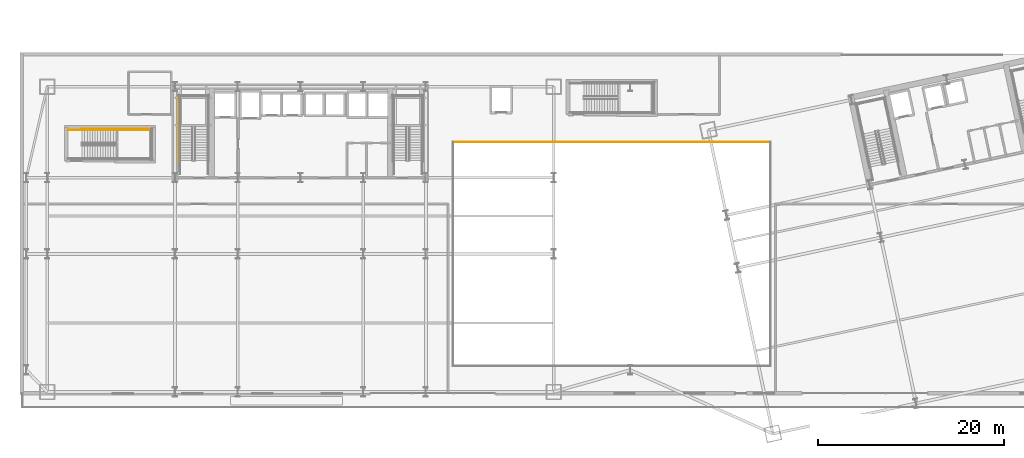
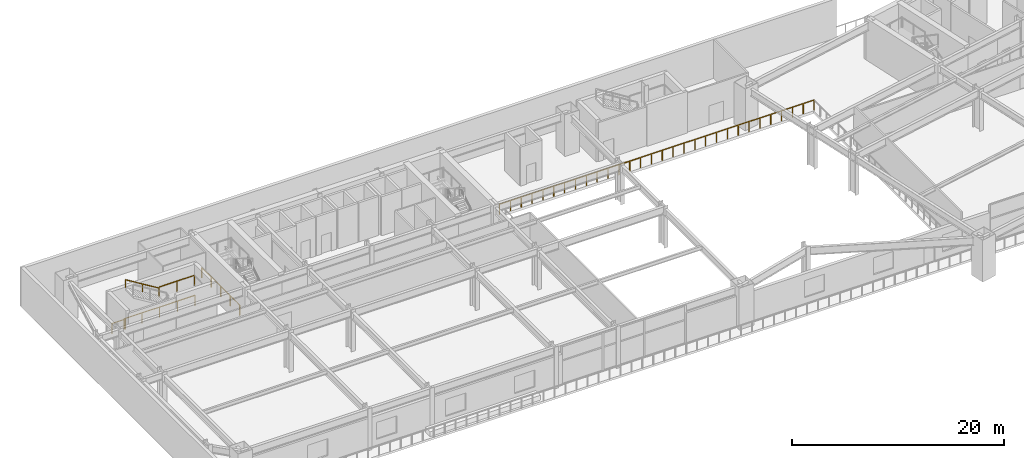
# One storey, part 21 of 28: 6 railings.
"""IFC4 building model written with IfcOpenShell, lengths in metres."""

from ifc_helpers import new_model, si_unit, direction, frame, origin, origin_2d, place, context, subcontext, project, spatial, rectangle, extrude, material, type_object, element, save


model = new_model("IFC4")

# Units and contexts
model_context = context("Model", 3, precision=1e-05, world=origin(), true_north=direction((0.0, 1.0)))
body_context = subcontext(model_context, "Body", "Model", "MODEL_VIEW")
ifc_project = project(units=[si_unit("LENGTHUNIT", "METRE"), si_unit("AREAUNIT", "SQUARE_METRE"), si_unit("VOLUMEUNIT", "CUBIC_METRE"), si_unit("PLANEANGLEUNIT", "RADIAN"), si_unit("MASSUNIT", "GRAM", prefix="KILO")], contexts=[model_context])

# Site, building, storey
site_placement = place(None, origin())
site = spatial("IfcSite", under=ifc_project, at=site_placement, CompositionType="ELEMENT")
building_placement = place(site_placement, origin())
building = spatial("IfcBuilding", under=site, at=building_placement, Name="Haevon Station Towers", CompositionType="ELEMENT")
storey_placement = place(building_placement, frame((0.0, 0.0, 10.800048828125)))
storey = spatial("IfcBuildingStorey", under=building, at=storey_placement, Name="L02", CompositionType="ELEMENT", Elevation=10.800048828125)

# Railings
ifc_material = material(Name="Steel S355", Category="steel")
railing_type_1 = type_object("IfcRailingType", Name="BAL-ATR1200", PredefinedType="BALUSTRADE", material=ifc_material)
railing_1_placement = place(storey_placement, frame((88.09814453125, 42.069091796875, 0.0)))
element("IfcRailing", 1, at=railing_1_placement, inside=storey, type_object=railing_type_1, Name="L02 Atrium Void Balustrade 3", PredefinedType="BALUSTRADE", context=body_context, shape_type="SweptSolid", body=[
    extrude(rectangle(XDim=0.048095703125, YDim=0.048095703125, at=origin_2d()), frame((0.0, 0.0, 1.17578125), z_axis=(-1.0, 0.0, 0.0), x_axis=(0.0, -1.0, 0.0)), (0.0, 0.0, 1.0), 34.1962890625),
    extrude(rectangle(XDim=0.0419921875, YDim=0.0419921875, at=origin_2d()), origin(), (0.0, 0.0, 1.0), 1.15185546875),
    extrude(rectangle(XDim=0.0419921875, YDim=0.0419921875, at=origin_2d()), frame((-1.17919921875, 0.0, 0.0)), (0.0, 0.0, 1.0), 1.15185546875),
    extrude(rectangle(XDim=0.0419921875, YDim=0.0419921875, at=origin_2d()), frame((-2.3583984375, 0.0, 0.0)), (0.0, 0.0, 1.0), 1.15185546875),
    extrude(rectangle(XDim=0.0419921875, YDim=0.0419921875, at=origin_2d()), frame((-3.53759765625, 0.0, 0.0)), (0.0, 0.0, 1.0), 1.15185546875),
    extrude(rectangle(XDim=0.0419921875, YDim=0.0419921875, at=origin_2d()), frame((-4.716796875, 0.0, 0.0)), (0.0, 0.0, 1.0), 1.15185546875),
    extrude(rectangle(XDim=0.0419921875, YDim=0.0419921875, at=origin_2d()), frame((-5.89599609375, 0.0, 0.0)), (0.0, 0.0, 1.0), 1.15185546875),
    extrude(rectangle(XDim=0.0419921875, YDim=0.0419921875, at=origin_2d()), frame((-7.0751953125, 0.0, 0.0)), (0.0, 0.0, 1.0), 1.15185546875),
    extrude(rectangle(XDim=0.0419921875, YDim=0.0419921875, at=origin_2d()), frame((-8.25439453125, 0.0, 0.0)), (0.0, 0.0, 1.0), 1.15185546875),
    extrude(rectangle(XDim=0.0419921875, YDim=0.0419921875, at=origin_2d()), frame((-9.433349609375, 0.0, 0.0)), (0.0, 0.0, 1.0), 1.15185546875),
    extrude(rectangle(XDim=0.0419921875, YDim=0.0419921875, at=origin_2d()), frame((-10.612548828125, 0.0, 0.0)), (0.0, 0.0, 1.0), 1.15185546875),
    extrude(rectangle(XDim=0.0419921875, YDim=0.0419921875, at=origin_2d()), frame((-11.791748046875, 0.0, 0.0)), (0.0, 0.0, 1.0), 1.15185546875),
    extrude(rectangle(XDim=0.0419921875, YDim=0.0419921875, at=origin_2d()), frame((-12.970947265625, 0.0, 0.0)), (0.0, 0.0, 1.0), 1.15185546875),
    extrude(rectangle(XDim=0.0419921875, YDim=0.0419921875, at=origin_2d()), frame((-14.150146484375, 0.0, 0.0)), (0.0, 0.0, 1.0), 1.15185546875),
    extrude(rectangle(XDim=0.0419921875, YDim=0.0419921875, at=origin_2d()), frame((-15.329345703125, 0.0, 0.0)), (0.0, 0.0, 1.0), 1.15185546875),
    extrude(rectangle(XDim=0.0419921875, YDim=0.0419921875, at=origin_2d()), frame((-16.508544921875, 0.0, 0.0)), (0.0, 0.0, 1.0), 1.15185546875),
    extrude(rectangle(XDim=0.0419921875, YDim=0.0419921875, at=origin_2d()), frame((-17.687744140625, 0.0, 0.0)), (0.0, 0.0, 1.0), 1.15185546875),
    extrude(rectangle(XDim=0.0419921875, YDim=0.0419921875, at=origin_2d()), frame((-18.866943359375, 0.0, 0.0)), (0.0, 0.0, 1.0), 1.15185546875),
    extrude(rectangle(XDim=0.0419921875, YDim=0.0419921875, at=origin_2d()), frame((-20.046142578125, 0.0, 0.0)), (0.0, 0.0, 1.0), 1.15185546875),
    extrude(rectangle(XDim=0.0419921875, YDim=0.0419921875, at=origin_2d()), frame((-21.225341796875, 0.0, 0.0)), (0.0, 0.0, 1.0), 1.15185546875),
    extrude(rectangle(XDim=0.0419921875, YDim=0.0419921875, at=origin_2d()), frame((-22.404541015625, 0.0, 0.0)), (0.0, 0.0, 1.0), 1.15185546875),
    extrude(rectangle(XDim=0.0419921875, YDim=0.0419921875, at=origin_2d()), frame((-23.583740234375, 0.0, 0.0)), (0.0, 0.0, 1.0), 1.15185546875),
    extrude(rectangle(XDim=0.0419921875, YDim=0.0419921875, at=origin_2d()), frame((-24.762939453125, 0.0, 0.0)), (0.0, 0.0, 1.0), 1.15185546875),
    extrude(rectangle(XDim=0.0419921875, YDim=0.0419921875, at=origin_2d()), frame((-25.94189453125, 0.0, 0.0)), (0.0, 0.0, 1.0), 1.15185546875),
    extrude(rectangle(XDim=0.0419921875, YDim=0.0419921875, at=origin_2d()), frame((-27.12109375, 0.0, 0.0)), (0.0, 0.0, 1.0), 1.15185546875),
    extrude(rectangle(XDim=0.0419921875, YDim=0.0419921875, at=origin_2d()), frame((-28.30029296875, 0.0, 0.0)), (0.0, 0.0, 1.0), 1.15185546875),
    extrude(rectangle(XDim=0.0419921875, YDim=0.0419921875, at=origin_2d()), frame((-29.4794921875, 0.0, 0.0)), (0.0, 0.0, 1.0), 1.15185546875),
    extrude(rectangle(XDim=0.0419921875, YDim=0.0419921875, at=origin_2d()), frame((-30.65869140625, 0.0, 0.0)), (0.0, 0.0, 1.0), 1.15185546875),
    extrude(rectangle(XDim=0.0419921875, YDim=0.0419921875, at=origin_2d()), frame((-31.837890625, 0.0, 0.0)), (0.0, 0.0, 1.0), 1.15185546875),
    extrude(rectangle(XDim=0.0419921875, YDim=0.0419921875, at=origin_2d()), frame((-33.01708984375, 0.0, 0.0)), (0.0, 0.0, 1.0), 1.15185546875),
    extrude(rectangle(XDim=0.0419921875, YDim=0.0419921875, at=origin_2d()), frame((-34.1962890625, 0.0, 0.0)), (0.0, 0.0, 1.0), 1.15185546875),
])
railing_type_2 = type_object("IfcRailingType", Name="GRD-STR1200", PredefinedType="GUARDRAIL", material=ifc_material)
railing_2_placement = place(storey_placement, frame((24.429931640625, 39.949951171875, 0.0)))
element("IfcRailing", 2, at=railing_2_placement, inside=storey, type_object=railing_type_2, Name="L02 ST1 Stair Guard 11", PredefinedType="GUARDRAIL", context=body_context, shape_type="SweptSolid", body=[
    extrude(rectangle(XDim=0.048095703125, YDim=0.048095703125, at=origin_2d()), frame((0.0, 0.0, 1.17578125), z_axis=(0.0, 1.0, 0.0), x_axis=(-1.0, 0.0, 0.0)), (0.0, 0.0, 1.0), 7.150146484375),
    extrude(rectangle(XDim=0.0419921875, YDim=0.0419921875, at=origin_2d()), origin(), (0.0, 0.0, 1.0), 1.15185546875),
    extrude(rectangle(XDim=0.0419921875, YDim=0.0419921875, at=origin_2d()), frame((0.0, 1.78759765625, 0.0)), (0.0, 0.0, 1.0), 1.15185546875),
    extrude(rectangle(XDim=0.0419921875, YDim=0.0419921875, at=origin_2d()), frame((0.0, 3.5751953125, 0.0)), (0.0, 0.0, 1.0), 1.15185546875),
    extrude(rectangle(XDim=0.0419921875, YDim=0.0419921875, at=origin_2d()), frame((0.0, 5.362548828125, 0.0)), (0.0, 0.0, 1.0), 1.15185546875),
    extrude(rectangle(XDim=0.0419921875, YDim=0.0419921875, at=origin_2d()), frame((0.0, 7.150146484375, 0.0)), (0.0, 0.0, 1.0), 1.15185546875),
])
railing_3_placement = place(storey_placement, frame((17.639892578125, 43.35009765625, 2.39990234375)))
element("IfcRailing", 3, at=railing_3_placement, inside=storey, type_object=railing_type_2, Name="L02 ST5 Stair Guard 4", PredefinedType="GUARDRAIL", context=body_context, shape_type="SweptSolid", body=[
    extrude(rectangle(XDim=0.048095703125, YDim=0.048095703125, at=origin_2d()), frame((0.0, 0.0, 1.17578125), z_axis=(1.0, 0.0, 0.0), x_axis=(0.0, 1.0, 0.0)), (0.0, 0.0, 1.0), 3.860107421875),
    extrude(rectangle(XDim=0.0419921875, YDim=0.0419921875, at=origin_2d()), origin(), (0.0, 0.0, 1.0), 1.15185546875),
    extrude(rectangle(XDim=0.0419921875, YDim=0.0419921875, at=origin_2d()), frame((1.93017578125, 0.0, 0.0)), (0.0, 0.0, 1.0), 1.15185546875),
    extrude(rectangle(XDim=0.0419921875, YDim=0.0419921875, at=origin_2d()), frame((3.860107421875, 0.0, 0.0)), (0.0, 0.0, 1.0), 1.15185546875),
])
railing_4_placement = place(storey_placement, frame((12.5, 43.35009765625, 0.0)))
element("IfcRailing", 4, at=railing_4_placement, inside=storey, type_object=railing_type_2, Name="L02 ST5 Stair Guard 9", PredefinedType="GUARDRAIL", context=body_context, shape_type="SweptSolid", body=[
    extrude(rectangle(XDim=0.048095703125, YDim=0.048095703125, at=origin_2d()), frame((0.0, 0.0, 1.17578125), z_axis=(1.0, 0.0, 0.0), x_axis=(0.0, 1.0, 0.0)), (0.0, 0.0, 1.0), 1.5),
    extrude(rectangle(XDim=0.0419921875, YDim=0.0419921875, at=origin_2d()), origin(), (0.0, 0.0, 1.0), 1.15185546875),
    extrude(rectangle(XDim=0.0419921875, YDim=0.0419921875, at=origin_2d()), frame((1.5, 0.0, 0.0)), (0.0, 0.0, 1.0), 1.15185546875),
])
railing_5_placement = place(storey_placement, frame((13.89990234375, 43.449951171875, 0.0)))
element("IfcRailing", 5, at=railing_5_placement, inside=storey, type_object=railing_type_2, Name="L02 ST5 Stair Guard 11", PredefinedType="GUARDRAIL", context=body_context, shape_type="SweptSolid", body=[
    extrude(rectangle(XDim=0.048095703125, YDim=0.048095703125, at=origin_2d()), frame((0.0, 0.0, 1.17578125), z_axis=(1.0, 0.0, 0.0), x_axis=(0.0, 1.0, 0.0)), (0.0, 0.0, 1.0), 7.7001953125),
    extrude(rectangle(XDim=0.0419921875, YDim=0.0419921875, at=origin_2d()), origin(), (0.0, 0.0, 1.0), 1.15185546875),
    extrude(rectangle(XDim=0.0419921875, YDim=0.0419921875, at=origin_2d()), frame((1.925048828125, 0.0, 0.0)), (0.0, 0.0, 1.0), 1.15185546875),
    extrude(rectangle(XDim=0.0419921875, YDim=0.0419921875, at=origin_2d()), frame((3.85009765625, 0.0, 0.0)), (0.0, 0.0, 1.0), 1.15185546875),
    extrude(rectangle(XDim=0.0419921875, YDim=0.0419921875, at=origin_2d()), frame((5.775146484375, 0.0, 0.0)), (0.0, 0.0, 1.0), 1.15185546875),
    extrude(rectangle(XDim=0.0419921875, YDim=0.0419921875, at=origin_2d()), frame((7.7001953125, 0.0, 0.0)), (0.0, 0.0, 1.0), 1.15185546875),
])
railing_type_3 = type_object("IfcRailingType", Name="HND-STR900", PredefinedType="HANDRAIL", material=ifc_material)
railing_6_placement = place(storey_placement, frame((17.639892578125, 43.35009765625, 2.5712890625)))
element("IfcRailing", 6, at=railing_6_placement, inside=storey, type_object=railing_type_3, Name="L02 ST5 Stair Handrail 2", PredefinedType="HANDRAIL", context=body_context, shape_type="SweptSolid", body=[
    extrude(rectangle(XDim=0.048095703125, YDim=0.048095703125, at=origin_2d()), frame((0.0, 0.0, 0.8759765625), z_axis=(-0.852824790078, 0.0, 0.522197163366), x_axis=(0.0, -1.0, 0.0)), (0.0, 0.0, 1.0), 4.26806640625),
    extrude(rectangle(XDim=0.0419921875, YDim=0.0419921875, at=origin_2d()), origin(), (0.0, 0.0, 1.0), 0.851806640625),
    extrude(rectangle(XDim=0.0419921875, YDim=0.0419921875, at=origin_2d()), frame((-1.81982421875, 0.0, 1.1142578125)), (0.0, 0.0, 1.0), 0.851806640625),
    extrude(rectangle(XDim=0.0419921875, YDim=0.0419921875, at=origin_2d()), frame((-3.639892578125, 0.0, 2.228759765625)), (0.0, 0.0, 1.0), 0.851806640625),
])

save(model, "model.ifc")
